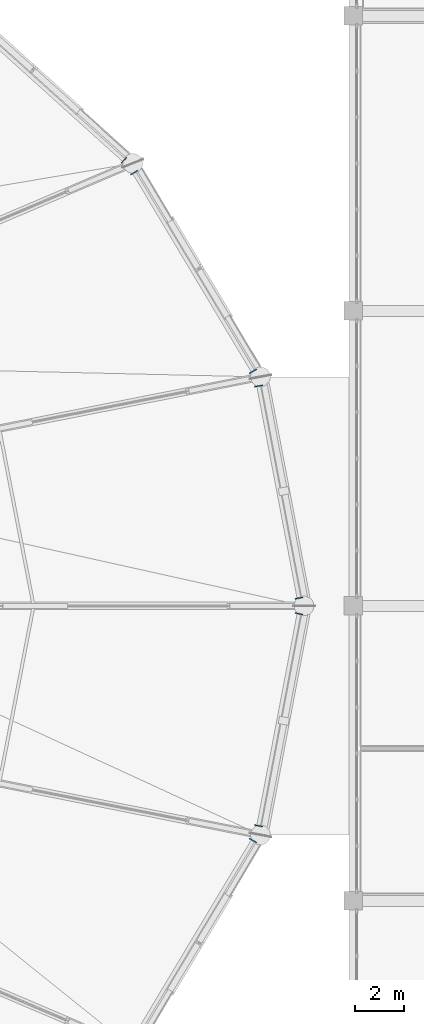
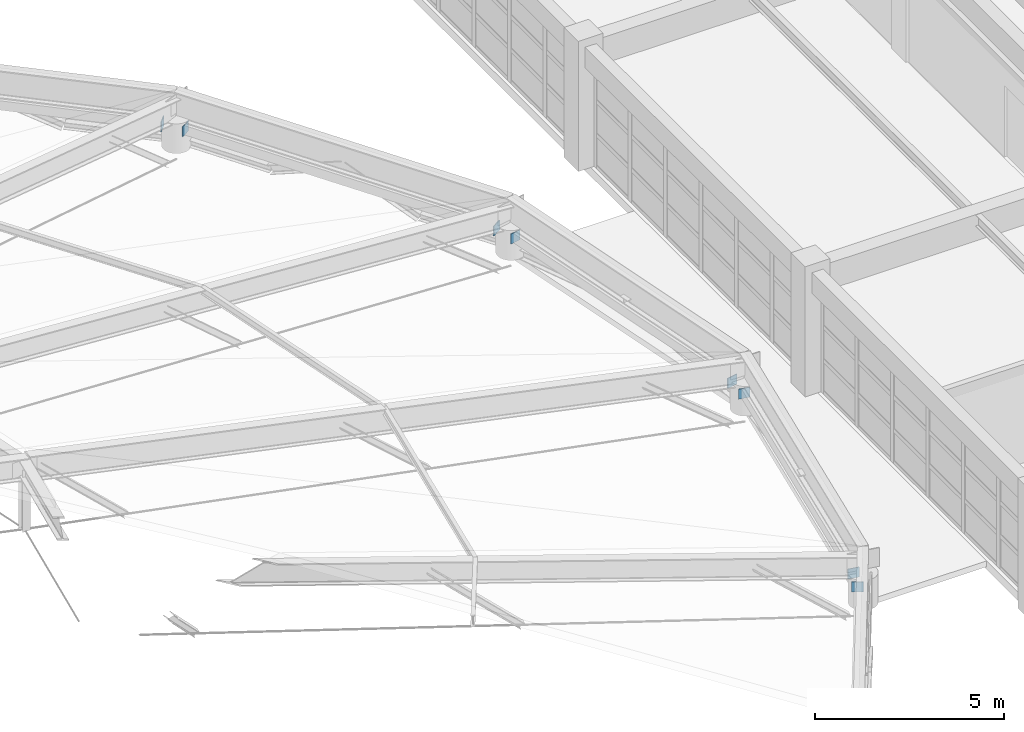
# One storey, part 67 of 83: 8 plates.
"""IFC4 building model written with IfcOpenShell, lengths in metres."""

from ifc_helpers import new_model, si_unit, direction, frame, origin, origin_2d, place, context, subcontext, project, spatial, rectangle, extrude, material, layer, layer_set, type_object, element, save


model = new_model("IFC4")

# Units and contexts
model_context = context("Model", 3, precision=1e-05, world=origin(), true_north=direction((0.0, 1.0)))
body_context = subcontext(model_context, "Body", "Model", "MODEL_VIEW")
ifc_project = project(units=[si_unit("LENGTHUNIT", "METRE"), si_unit("AREAUNIT", "SQUARE_METRE"), si_unit("VOLUMEUNIT", "CUBIC_METRE"), si_unit("PLANEANGLEUNIT", "RADIAN"), si_unit("MASSUNIT", "GRAM", prefix="KILO")], contexts=[model_context])

# Site, building, storey
site_placement = place(None, origin())
site = spatial("IfcSite", under=ifc_project, at=site_placement, CompositionType="ELEMENT")
building_placement = place(site_placement, origin())
building = spatial("IfcBuilding", under=site, at=building_placement, Name="Kivolera Central Railway Station", CompositionType="ELEMENT")
storey_placement = place(building_placement, frame((0.0, 0.0, 14.39990234375)))
storey = spatial("IfcBuildingStorey", under=building, at=storey_placement, Name="L03", CompositionType="ELEMENT", Elevation=14.39990234375)

# Plates
ifc_material = material(Name="Steel S355", Category="steel")
ifc_layer = layer(ifc_material, 0.02490234375, Name="Steel S355")
ifc_layer_set = layer_set([ifc_layer], Name="Steel S355")
plate_type = type_object("IfcPlateType", Name="PLT-CAP-320", PredefinedType="SHEET", material=ifc_layer_set)
for number, where, z_axis, x_axis, name in (
    (1, (115.7919921875, 90.318115234375, 0.735107421875), (-0.18681355608, 0.982395386423, 0.0), (-0.982395386423, -0.18681355608, 0.0), "Hollow section end-cap plate NP-CAP1"),
    (2, (114.15087890625, 98.945068359375, 0.735107421875), (-0.18681355608, 0.982395386423, 0.0), (-0.982395386423, -0.18681355608, 0.0), "Hollow section end-cap plate NP-CAP1"),
    (3, (113.923095703125, 99.5439453125, 0.735107421875), (-0.513369912177, 0.858167427296, 0.0), (-0.858167427296, -0.513369912177, 0.0), "Hollow section end-cap plate NP-CAP1"),
    (4, (109.089111328125, 107.6240234375, 0.735107421875), (-0.513369912177, 0.858167427296, 0.0), (-0.858167427296, -0.513369912177, 0.0), "Hollow section end-cap plate NP-CAP1"),
    (5, (108.675048828125, 108.126953125, 0.735107421875), (-0.742405923756, 0.66995032978, 0.0), (-0.66995032978, -0.742405923756, 0.0), "Hollow section end-cap plate NP-CAP1"),
    (6, (113.923095703125, 80.4560546875, 0.735107421875), (0.513369912177, 0.858167427296, 0.0), (-0.858167427296, 0.513369912177, 0.0), "Hollow section end-cap plate NP-CAP1"),
    (7, (114.15087890625, 81.054931640625, 0.735107421875), (0.18681355608, 0.982395386423, 0.0), (-0.982395386423, 0.18681355608, 0.0), "Hollow section end-cap plate NP-CAP1"),
    (8, (115.7919921875, 89.681884765625, 0.735107421875), (0.18681355608, 0.982395386423, 0.0), (-0.982395386423, 0.18681355608, 0.0), "Hollow section end-cap plate NP-CAP1"),
):
    element("IfcPlate", number, at=place(storey_placement, frame(where, z_axis=z_axis, x_axis=x_axis)), inside=storey, type_object=plate_type, Name=name, PredefinedType="SHEET", context=body_context, shape_type="SweptSolid", body=[
        extrude(rectangle(XDim=0.320068359375, YDim=0.320068359375, at=origin_2d()), frame((0.0, 0.0, -0.012451171875)), (0.0, 0.0, 1.0), 0.02490234375),
    ])

save(model, "model.ifc")
